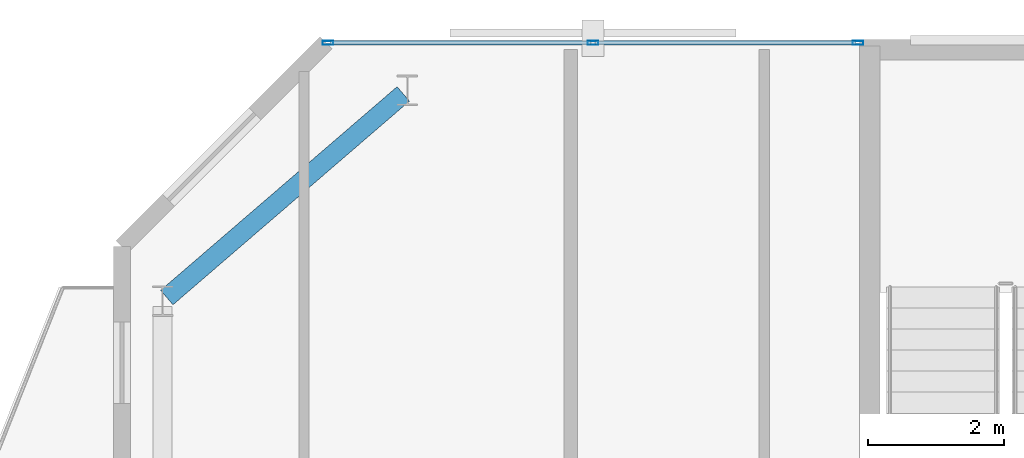
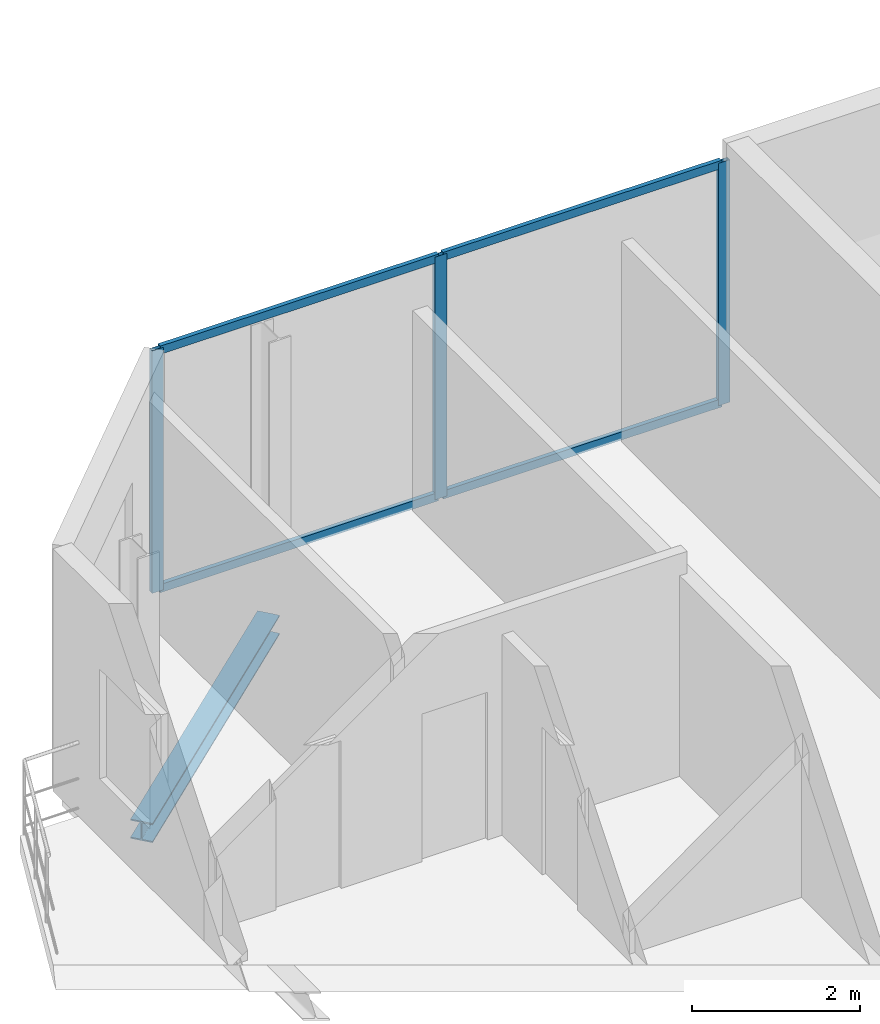
# One storey, part 16 of 22: 7 members, 1 beam, 1 element without a shape of its own.
"""IFC4 building model written with IfcOpenShell, lengths in metres."""

from ifc_helpers import new_model, si_unit, direction, frame, origin, origin_2d, place, context, subcontext, project, spatial, hollow_rectangle, i_section, extrude, material, layer, layer_set, material_profile, profile_set, type_object, element, aggregate, save


model = new_model("IFC4")

# Units and contexts
model_context = context("Model", 3, precision=1e-05, world=origin(), true_north=direction((0.0, 1.0)))
body_context = subcontext(model_context, "Body", "Model", "MODEL_VIEW")
ifc_project = project(units=[si_unit("LENGTHUNIT", "METRE"), si_unit("AREAUNIT", "SQUARE_METRE"), si_unit("VOLUMEUNIT", "CUBIC_METRE"), si_unit("PLANEANGLEUNIT", "RADIAN"), si_unit("MASSUNIT", "GRAM", prefix="KILO")], contexts=[model_context])

# Site, building, storey
site_placement = place(None, origin())
site = spatial("IfcSite", under=ifc_project, at=site_placement, CompositionType="ELEMENT")
building_placement = place(site_placement, origin())
building = spatial("IfcBuilding", under=site, at=building_placement, Name="Catumbela Crestline Tower", CompositionType="ELEMENT")
storey_placement = place(building_placement, frame((0.0, 0.0, 218.4)))
storey = spatial("IfcBuildingStorey", under=building, at=storey_placement, Name="L56", CompositionType="ELEMENT", Elevation=218.4)

# Curtain wall, members
ifc_material_1 = material(Name="Aluminium alloy AW-6060-T66", Category="aluminium")
ifc_layer = layer(ifc_material_1, 0.18, Name="Aluminium alloy AW-6060-T66")
ifc_layer_set = layer_set([ifc_layer], Name="Aluminium alloy AW-6060-T66")
curtain_wall_type = type_object("IfcCurtainWallType", Name="CWU-Z4", PredefinedType="USERDEFINED", material=ifc_layer_set)
curtain_wall_placement = place(storey_placement, origin())
curtain_wall = element("IfcCurtainWall", 1, at=curtain_wall_placement, inside=storey, type_object=curtain_wall_type, Name="L56 Unitised Curtain Wall CW-L56-E7S2", ObjectType="UNITISED", PredefinedType="USERDEFINED")
ifc_material_profile_1 = material_profile(ifc_material_1, hollow_rectangle(XDim=0.06, YDim=0.16, WallThickness=0.004, at=origin_2d()), Name="ALU 160x60x4")
ifc_profile_set_1 = profile_set([ifc_material_profile_1], Name="Aluminium alloy AW-6060-T66")
member_type_1 = type_object("IfcMemberType", Name="MUL-160X60", PredefinedType="MULLION", material=ifc_profile_set_1)
member_1_placement = place(storey_placement, frame((15.8275, 43.0, 0.0), z_axis=(0.0, 0.0, 1.0), x_axis=(0.0, -1.0, 0.0)))
member_1 = element("IfcMember", 2, at=member_1_placement, type_object=member_type_1, Name="CWU-Z4 mullion 1", PredefinedType="MULLION", context=body_context, shape_type="SweptSolid", body=[
    extrude(hollow_rectangle(XDim=0.06, YDim=0.16, WallThickness=0.004, at=origin_2d()), origin(), (0.0, 0.0, 1.0), 3.53),
])
member_2_placement = place(storey_placement, frame((11.93, 43.0, 0.0), z_axis=(0.0, 0.0, 1.0), x_axis=(0.0, -1.0, 0.0)))
member_2 = element("IfcMember", 3, at=member_2_placement, type_object=member_type_1, Name="CWU-Z4 mullion 2", PredefinedType="MULLION", context=body_context, shape_type="SweptSolid", body=[
    extrude(hollow_rectangle(XDim=0.06, YDim=0.16, WallThickness=0.004, at=origin_2d()), origin(), (0.0, 0.0, 1.0), 3.53),
])
member_3_placement = place(storey_placement, frame((8.0325, 43.0, 0.0), z_axis=(0.0, 0.0, 1.0), x_axis=(0.0, -1.0, 0.0)))
member_3 = element("IfcMember", 4, at=member_3_placement, type_object=member_type_1, Name="CWU-Z4 mullion 3", PredefinedType="MULLION", context=body_context, shape_type="SweptSolid", body=[
    extrude(hollow_rectangle(XDim=0.06, YDim=0.16, WallThickness=0.004, at=origin_2d()), origin(), (0.0, 0.0, 1.0), 3.53),
])

# Beam
ifc_material_2 = material(Name="Structural steel S355J2", Category="steel")
ifc_material_profile_2 = material_profile(ifc_material_2, i_section(OverallWidth=0.28, OverallDepth=0.28, WebThickness=0.0105, FlangeThickness=0.018, FilletRadius=0.024, at=origin_2d()), Name="HEB 280")
ifc_profile_set_2 = profile_set([ifc_material_profile_2], Name="Structural steel S355J2")
beam_type = type_object("IfcBeamType", Name="BS-HEB280", PredefinedType="SPANDREL", material=ifc_profile_set_2)
beam_placement = place(storey_placement, frame((5.6606, 39.2522, -0.4), z_axis=(0.757772392559, 0.652518966066, 0.0), x_axis=(-0.652518966066, 0.757772392559, 0.0)))
element("IfcBeam", 5, at=beam_placement, inside=storey, type_object=beam_type, Name="L56 Spandrel SP-L56-N09", PredefinedType="SPANDREL", context=body_context, shape_type="SweptSolid", body=[
    extrude(i_section(OverallWidth=0.28, OverallDepth=0.28, WebThickness=0.0105, FlangeThickness=0.018, FilletRadius=0.024, at=origin_2d()), origin(), (0.0, 0.0, 1.0), 4.5908),
])

# Member
ifc_material_profile_3 = material_profile(ifc_material_1, hollow_rectangle(XDim=0.06, YDim=0.12, WallThickness=0.0035, at=origin_2d()), Name="ALU 120x60x3.5")
ifc_profile_set_3 = profile_set([ifc_material_profile_3], Name="Aluminium alloy AW-6060-T66")
member_type_2 = type_object("IfcMemberType", Name="TRN-120X60", PredefinedType="USERDEFINED", material=ifc_profile_set_3)
member_4_placement = place(storey_placement, frame((15.795, 43.0, 0.03), z_axis=(-1.0, 0.0, 0.0), x_axis=(0.0, -1.0, 0.0)))
member_4 = element("IfcMember", 6, at=member_4_placement, type_object=member_type_2, Name="CWU-Z4 transom 1.1", ObjectType="TRANSOM", PredefinedType="USERDEFINED", context=body_context, shape_type="SweptSolid", body=[
    extrude(hollow_rectangle(XDim=0.06, YDim=0.12, WallThickness=0.0035, at=origin_2d()), origin(), (0.0, 0.0, 1.0), 3.8325),
])

member_5_placement = place(storey_placement, frame((15.795, 43.0, 3.5), z_axis=(-1.0, 0.0, 0.0), x_axis=(0.0, -1.0, 0.0)))
member_5 = element("IfcMember", 7, at=member_5_placement, type_object=member_type_2, Name="CWU-Z4 transom 1.2", ObjectType="TRANSOM", PredefinedType="USERDEFINED", context=body_context, shape_type="SweptSolid", body=[
    extrude(hollow_rectangle(XDim=0.06, YDim=0.12, WallThickness=0.0035, at=origin_2d()), origin(), (0.0, 0.0, 1.0), 3.8325),
])

member_6_placement = place(storey_placement, frame((11.8975, 43.0, 0.03), z_axis=(-1.0, 0.0, 0.0), x_axis=(0.0, -1.0, 0.0)))
member_6 = element("IfcMember", 8, at=member_6_placement, type_object=member_type_2, Name="CWU-Z4 transom 2.1", ObjectType="TRANSOM", PredefinedType="USERDEFINED", context=body_context, shape_type="SweptSolid", body=[
    extrude(hollow_rectangle(XDim=0.06, YDim=0.12, WallThickness=0.0035, at=origin_2d()), origin(), (0.0, 0.0, 1.0), 3.8325),
])

member_7_placement = place(storey_placement, frame((11.8975, 43.0, 3.5), z_axis=(-1.0, 0.0, 0.0), x_axis=(0.0, -1.0, 0.0)))
member_7 = element("IfcMember", 9, at=member_7_placement, type_object=member_type_2, Name="CWU-Z4 transom 2.2", ObjectType="TRANSOM", PredefinedType="USERDEFINED", context=body_context, shape_type="SweptSolid", body=[
    extrude(hollow_rectangle(XDim=0.06, YDim=0.12, WallThickness=0.0035, at=origin_2d()), origin(), (0.0, 0.0, 1.0), 3.8325),
])

aggregate(curtain_wall, [member_1, member_2, member_3, member_4, member_5, member_6, member_7])

save(model, "model.ifc")
